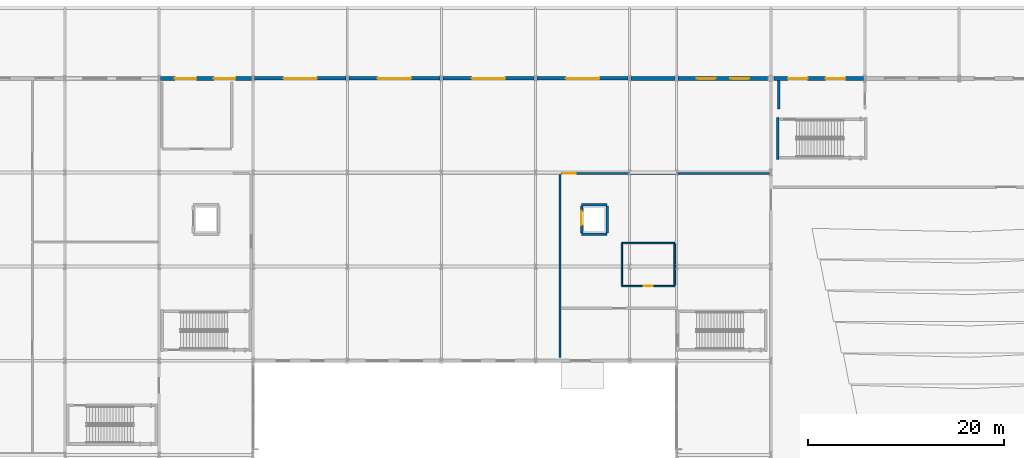
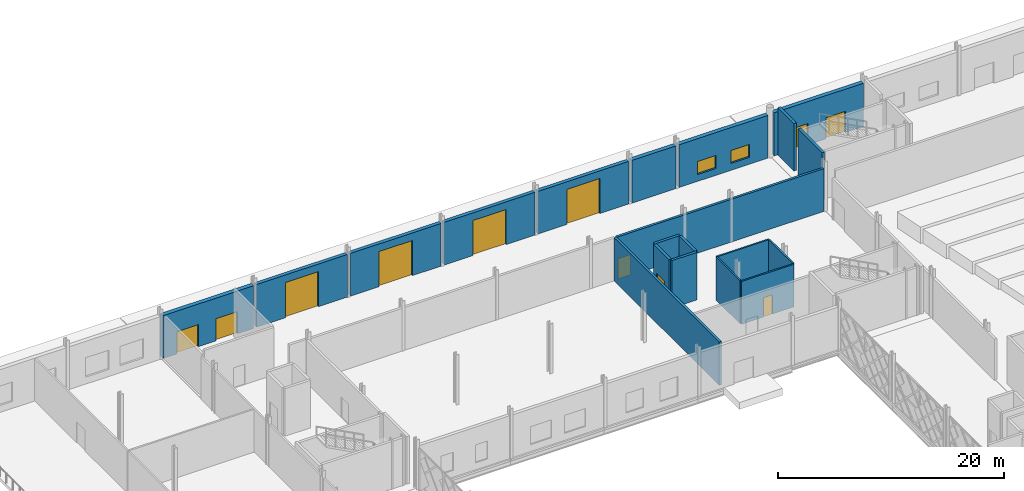
# One storey, part 57 of 84: 20 walls, 11 doors, 2 windows, 13 openings.
"""IFC4 building model written with IfcOpenShell, lengths in metres."""

from ifc_helpers import new_model, si_unit, direction, frame, frame_2d, origin, place, context, subcontext, project, spatial, rectangle, extrude, material, layer, layer_set, type_object, element, fill, save


model = new_model("IFC4")

# Units and contexts
model_context = context("Model", 3, precision=1e-05, world=origin(), true_north=direction((0.0, 1.0)))
body_context = subcontext(model_context, "Body", "Model", "MODEL_VIEW")
ifc_project = project(units=[si_unit("LENGTHUNIT", "METRE"), si_unit("AREAUNIT", "SQUARE_METRE"), si_unit("VOLUMEUNIT", "CUBIC_METRE"), si_unit("PLANEANGLEUNIT", "RADIAN"), si_unit("MASSUNIT", "GRAM", prefix="KILO")], contexts=[model_context])

# Site, building, storey
site_placement = place(None, origin())
site = spatial("IfcSite", under=ifc_project, at=site_placement, CompositionType="ELEMENT")
building_placement = place(site_placement, origin())
building = spatial("IfcBuilding", under=site, at=building_placement, Name="Zevrakil Square Congress Hotel", CompositionType="ELEMENT")
storey_placement = place(building_placement, origin())
storey = spatial("IfcBuildingStorey", under=building, at=storey_placement, Name="L01", CompositionType="ELEMENT", Elevation=0.0)

# Wall
ifc_material_1 = material(Name="Concrete C35/45", Category="concrete")
ifc_layer_1 = layer(ifc_material_1, 0.239990234375)
ifc_layer_set_1 = layer_set([ifc_layer_1], Name="Concrete C35/45")
wall_type_1 = type_object("IfcWallType", Name="WAL-COMP-240", PredefinedType="SOLIDWALL", material=ifc_layer_set_1)
wall_1_placement = place(storey_placement, frame((96.10009765625, 84.35009765625, 0.0), z_axis=(0.0, 0.0, 1.0), x_axis=(0.0, 1.0, 0.0)))
element("IfcWall", 1, at=wall_1_placement, inside=storey, type_object=wall_type_1, Name="L01 interior partition PW-L01-0142", PredefinedType="SOLIDWALL", context=body_context, shape_type="SweptSolid", body=[
    extrude(rectangle(XDim=18.625, YDim=0.239990234375, at=frame_2d((9.3125, 0.0))), origin(), (0.0, 0.0, 1.0), 4.68505859375),
])

# Wall, opening, door
wall_2_placement = place(storey_placement, frame((96.25, 103.10009765625, 0.0), z_axis=(0.0, 0.0, 1.0), x_axis=(1.0, 0.0, 0.0)))
wall_2 = element("IfcWall", 2, at=wall_2_placement, inside=storey, type_object=wall_type_1, Name="L01 interior partition PW-L01-0145", PredefinedType="SOLIDWALL", context=body_context, shape_type="SweptSolid", body=[
    extrude(rectangle(XDim=21.199951171875, YDim=0.239990234375, at=frame_2d((10.60009765625, 0.0))), origin(), (0.0, 0.0, 1.0), 4.625),
])
opening_1_placement = place(wall_2_placement, frame((0.159912109375, 0.0, 0.0)))
opening_1 = element("IfcOpeningElement", 3, at=opening_1_placement, cuts=wall_2, Name="Opening ID-08", PredefinedType="OPENING", context=body_context, shape_type="SweptSolid", body=[
    extrude(rectangle(XDim=1.300048828125, YDim=2.199951171875, at=frame_2d((0.64990234375, 1.10009765625))), frame((0.0, 0.1298828125, 0.0), z_axis=(0.0, -1.0, 0.0), x_axis=(1.0, 0.0, 0.0)), (0.0, 0.0, 1.0), 0.260009765625),
])
ifc_material_2 = material(Name="Service Corridor Leaf-and-Half Door")
door_type_1 = type_object("IfcDoorType", Name="DOR-BOH-130", OperationType="NOTDEFINED", PredefinedType="DOOR", material=ifc_material_2)
door_1_placement = place(opening_1_placement, origin())
door_1 = element("IfcDoor", 4, at=door_1_placement, inside=storey, type_object=door_type_1, Name="L01 interior door 57", OperationType="SINGLE_SWING_LEFT", OverallHeight=2.199951171875, OverallWidth=1.300048828125, PredefinedType="DOOR", context=body_context, shape_type="SweptSolid", body=[
    extrude(rectangle(XDim=1.300048828125, YDim=2.199951171875, at=frame_2d((0.64990234375, 1.10009765625))), frame((0.0, 0.02490234375, 0.0), z_axis=(0.0, -1.0, 0.0), x_axis=(1.0, 0.0, 0.0)), (0.0, 0.0, 1.0), 0.050048828125),
])
fill(opening_1, door_1)

# Wall
wall_3_placement = place(storey_placement, frame((118.39990234375, 109.699951171875, 0.0), z_axis=(0.0, 0.0, 1.0), x_axis=(0.0, 1.0, 0.0)))
element("IfcWall", 5, at=wall_3_placement, inside=storey, type_object=wall_type_1, Name="L01 interior partition PW-L01-0158", PredefinedType="SOLIDWALL", context=body_context, shape_type="SweptSolid", body=[
    extrude(rectangle(XDim=2.880126953125, YDim=0.239990234375, at=frame_2d((1.43994140625, 0.0))), origin(), (0.0, 0.0, 1.0), 5.139892578125),
])

# Wall, opening, door
ifc_material_3 = material(Name="Gypsum Acoustic Stud Partition")
ifc_layer_2 = layer(ifc_material_3, 0.159912109375)
ifc_layer_set_2 = layer_set([ifc_layer_2], Name="Gypsum Acoustic Stud Partition")
wall_type_2 = type_object("IfcWallType", Name="WAL-CORR-160", PredefinedType="PARTITIONING", material=ifc_layer_set_2)
wall_4_placement = place(storey_placement, frame((102.39990234375, 91.60009765625, 0.0), z_axis=(0.0, 0.0, 1.0), x_axis=(1.0, 0.0, 0.0)))
wall_4 = element("IfcWall", 6, at=wall_4_placement, inside=storey, type_object=wall_type_2, Name="L01 interior partition PW-L01-0146", PredefinedType="PARTITIONING", context=body_context, shape_type="SweptSolid", body=[
    extrude(rectangle(XDim=5.400146484375, YDim=0.159912109375, at=frame_2d((2.7001953125, 0.0))), origin(), (0.0, 0.0, 1.0), 4.625),
])
opening_2_placement = place(wall_4_placement, frame((2.239990234375, 0.0, 0.0)))
opening_2 = element("IfcOpeningElement", 7, at=opening_2_placement, cuts=wall_4, Name="Opening ID-07", PredefinedType="OPENING", context=body_context, shape_type="SweptSolid", body=[
    extrude(rectangle(XDim=0.919921875, YDim=2.10009765625, at=frame_2d((0.4599609375, 1.050048828125))), frame((0.0, 0.08984375, 0.0), z_axis=(0.0, -1.0, 0.0), x_axis=(1.0, 0.0, 0.0)), (0.0, 0.0, 1.0), 0.179931640625),
])
ifc_material_4 = material(Name="Accessible Restroom Door")
door_type_2 = type_object("IfcDoorType", Name="DOR-WC-092", OperationType="NOTDEFINED", PredefinedType="DOOR", material=ifc_material_4)
door_2_placement = place(opening_2_placement, origin())
door_2 = element("IfcDoor", 8, at=door_2_placement, inside=storey, type_object=door_type_2, Name="L01 interior door 58", OperationType="SINGLE_SWING_RIGHT", OverallHeight=2.10009765625, OverallWidth=0.919921875, PredefinedType="DOOR", context=body_context, shape_type="SweptSolid", body=[
    extrude(rectangle(XDim=0.919921875, YDim=2.10009765625, at=frame_2d((0.4599609375, 1.050048828125))), frame((0.0, 0.02490234375, 0.0), z_axis=(0.0, -1.0, 0.0), x_axis=(1.0, 0.0, 0.0)), (0.0, 0.0, 1.0), 0.050048828125),
])
fill(opening_2, door_2)

# Walls
wall_5_placement = place(storey_placement, frame((102.39990234375, 96.0, 0.0), z_axis=(0.0, 0.0, 1.0), x_axis=(1.0, 0.0, 0.0)))
element("IfcWall", 9, at=wall_5_placement, inside=storey, type_object=wall_type_2, Name="L01 interior partition PW-L01-0147", PredefinedType="PARTITIONING", context=body_context, shape_type="SweptSolid", body=[
    extrude(rectangle(XDim=5.400146484375, YDim=0.159912109375, at=frame_2d((2.7001953125, 0.0))), origin(), (0.0, 0.0, 1.0), 4.625),
])
wall_6_placement = place(storey_placement, frame((102.39990234375, 91.68505859375, 0.0), z_axis=(0.0, 0.0, 1.0), x_axis=(0.0, 1.0, 0.0)))
element("IfcWall", 10, at=wall_6_placement, inside=storey, type_object=wall_type_2, Name="L01 interior partition PW-L01-0148", PredefinedType="PARTITIONING", context=body_context, shape_type="SweptSolid", body=[
    extrude(rectangle(XDim=4.22998046875, YDim=0.159912109375, at=frame_2d((2.114990234375, 0.0))), origin(), (0.0, 0.0, 1.0), 4.68505859375),
])
wall_7_placement = place(storey_placement, frame((107.800048828125, 91.68505859375, 0.0), z_axis=(0.0, 0.0, 1.0), x_axis=(0.0, 1.0, 0.0)))
element("IfcWall", 11, at=wall_7_placement, inside=storey, type_object=wall_type_2, Name="L01 interior partition PW-L01-0149", PredefinedType="PARTITIONING", context=body_context, shape_type="SweptSolid", body=[
    extrude(rectangle(XDim=4.22998046875, YDim=0.159912109375, at=frame_2d((2.114990234375, 0.0))), origin(), (0.0, 0.0, 1.0), 4.625),
])

# Wall, opening, door
ifc_material_5 = material(Name="Precast concrete C40/50", Category="concrete")
ifc_layer_3 = layer(ifc_material_5, 0.360107421875)
ifc_layer_set_3 = layer_set([ifc_layer_3], Name="Precast concrete C40/50")
wall_type_3 = type_object("IfcWallType", Name="WAL-EXT-GRC-360", PredefinedType="SOLIDWALL", material=ifc_layer_set_3)
wall_8_placement = place(storey_placement, frame((64.9541015625, 112.800048828125, 0.0), z_axis=(0.0, 0.0, 1.0), x_axis=(1.0, 0.0, 0.0)))
wall_8 = element("IfcWall", 12, at=wall_8_placement, inside=storey, type_object=wall_type_3, Name="L01 exterior GRC wall EW-L01-0049", PredefinedType="SOLIDWALL", context=body_context, shape_type="SweptSolid", body=[
    extrude(rectangle(XDim=9.2919921875, YDim=0.360107421875, at=frame_2d((4.64599609375, 0.0))), origin(), (0.0, 0.0, 1.0), 4.625),
])
opening_3_placement = place(wall_8_placement, frame((2.946044921875, 0.0, 0.0)))
opening_3 = element("IfcOpeningElement", 13, at=opening_3_placement, cuts=wall_8, Name="Opening DG-01", PredefinedType="OPENING", context=body_context, shape_type="SweptSolid", body=[
    extrude(rectangle(XDim=3.39990234375, YDim=3.800048828125, at=frame_2d((1.699951171875, 1.89990234375))), frame((0.0, 0.18994140625, 0.0), z_axis=(0.0, -1.0, 0.0), x_axis=(1.0, 0.0, 0.0)), (0.0, 0.0, 1.0), 0.380126953125),
])
ifc_material_6 = material(Name="Aluminium Thermal-Break Glazed Door", Category="aluminium")
door_type_3 = type_object("IfcDoorType", Name="DOR-DOCK-340", OperationType="NOTDEFINED", PredefinedType="GATE", material=ifc_material_6)
door_3_placement = place(opening_3_placement, origin())
door_3 = element("IfcDoor", 14, at=door_3_placement, inside=storey, type_object=door_type_3, Name="HGV loading dock shutter door", OperationType="ROLLINGUP", OverallHeight=3.800048828125, OverallWidth=3.39990234375, PredefinedType="GATE", context=body_context, shape_type="SweptSolid", body=[
    extrude(rectangle(XDim=3.39990234375, YDim=3.800048828125, at=frame_2d((1.699951171875, 1.89990234375))), frame((0.0, 0.02490234375, 0.0), z_axis=(0.0, -1.0, 0.0), x_axis=(1.0, 0.0, 0.0)), (0.0, 0.0, 1.0), 0.050048828125),
])
fill(opening_3, door_3)

wall_9_placement = place(storey_placement, frame((74.553955078125, 112.800048828125, 0.0), z_axis=(0.0, 0.0, 1.0), x_axis=(1.0, 0.0, 0.0)))
wall_9 = element("IfcWall", 15, at=wall_9_placement, inside=storey, type_object=wall_type_3, Name="L01 exterior GRC wall EW-L01-0051", PredefinedType="SOLIDWALL", context=body_context, shape_type="SweptSolid", body=[
    extrude(rectangle(XDim=9.2919921875, YDim=0.360107421875, at=frame_2d((4.64599609375, 0.0))), origin(), (0.0, 0.0, 1.0), 4.625),
])
opening_4_placement = place(wall_9_placement, frame((2.946044921875, 0.0, 0.0)))
opening_4 = element("IfcOpeningElement", 16, at=opening_4_placement, cuts=wall_9, Name="Opening DG-01", PredefinedType="OPENING", context=body_context, shape_type="SweptSolid", body=[
    extrude(rectangle(XDim=3.39990234375, YDim=3.800048828125, at=frame_2d((1.699951171875, 1.89990234375))), frame((0.0, 0.18994140625, 0.0), z_axis=(0.0, -1.0, 0.0), x_axis=(1.0, 0.0, 0.0)), (0.0, 0.0, 1.0), 0.380126953125),
])
door_4_placement = place(opening_4_placement, origin())
door_4 = element("IfcDoor", 17, at=door_4_placement, inside=storey, type_object=door_type_3, Name="HGV loading dock shutter door", OperationType="ROLLINGUP", OverallHeight=3.800048828125, OverallWidth=3.39990234375, PredefinedType="GATE", context=body_context, shape_type="SweptSolid", body=[
    extrude(rectangle(XDim=3.39990234375, YDim=3.800048828125, at=frame_2d((1.699951171875, 1.89990234375))), frame((0.0, 0.02490234375, 0.0), z_axis=(0.0, -1.0, 0.0), x_axis=(1.0, 0.0, 0.0)), (0.0, 0.0, 1.0), 0.050048828125),
])
fill(opening_4, door_4)

wall_10_placement = place(storey_placement, frame((84.154052734375, 112.800048828125, 0.0), z_axis=(0.0, 0.0, 1.0), x_axis=(1.0, 0.0, 0.0)))
wall_10 = element("IfcWall", 18, at=wall_10_placement, inside=storey, type_object=wall_type_3, Name="L01 exterior GRC wall EW-L01-0053", PredefinedType="SOLIDWALL", context=body_context, shape_type="SweptSolid", body=[
    extrude(rectangle(XDim=9.2919921875, YDim=0.360107421875, at=frame_2d((4.64599609375, 0.0))), origin(), (0.0, 0.0, 1.0), 4.625),
])
opening_5_placement = place(wall_10_placement, frame((2.946044921875, 0.0, 0.0)))
opening_5 = element("IfcOpeningElement", 19, at=opening_5_placement, cuts=wall_10, Name="Opening DG-01", PredefinedType="OPENING", context=body_context, shape_type="SweptSolid", body=[
    extrude(rectangle(XDim=3.39990234375, YDim=3.800048828125, at=frame_2d((1.699951171875, 1.89990234375))), frame((0.0, 0.18994140625, 0.0), z_axis=(0.0, -1.0, 0.0), x_axis=(1.0, 0.0, 0.0)), (0.0, 0.0, 1.0), 0.380126953125),
])
door_5_placement = place(opening_5_placement, origin())
door_5 = element("IfcDoor", 20, at=door_5_placement, inside=storey, type_object=door_type_3, Name="HGV loading dock shutter door", OperationType="ROLLINGUP", OverallHeight=3.800048828125, OverallWidth=3.39990234375, PredefinedType="GATE", context=body_context, shape_type="SweptSolid", body=[
    extrude(rectangle(XDim=3.39990234375, YDim=3.800048828125, at=frame_2d((1.699951171875, 1.89990234375))), frame((0.0, 0.02490234375, 0.0), z_axis=(0.0, -1.0, 0.0), x_axis=(1.0, 0.0, 0.0)), (0.0, 0.0, 1.0), 0.050048828125),
])
fill(opening_5, door_5)

wall_11_placement = place(storey_placement, frame((93.75390625, 112.800048828125, 0.0), z_axis=(0.0, 0.0, 1.0), x_axis=(1.0, 0.0, 0.0)))
wall_11 = element("IfcWall", 21, at=wall_11_placement, inside=storey, type_object=wall_type_3, Name="L01 exterior GRC wall EW-L01-0055", PredefinedType="SOLIDWALL", context=body_context, shape_type="SweptSolid", body=[
    extrude(rectangle(XDim=9.2919921875, YDim=0.360107421875, at=frame_2d((4.64599609375, 0.0))), origin(), (0.0, 0.0, 1.0), 4.625),
])
opening_6_placement = place(wall_11_placement, frame((2.946044921875, 0.0, 0.0)))
opening_6 = element("IfcOpeningElement", 22, at=opening_6_placement, cuts=wall_11, Name="Opening DG-01", PredefinedType="OPENING", context=body_context, shape_type="SweptSolid", body=[
    extrude(rectangle(XDim=3.39990234375, YDim=3.800048828125, at=frame_2d((1.699951171875, 1.89990234375))), frame((0.0, 0.18994140625, 0.0), z_axis=(0.0, -1.0, 0.0), x_axis=(1.0, 0.0, 0.0)), (0.0, 0.0, 1.0), 0.380126953125),
])
door_6_placement = place(opening_6_placement, origin())
door_6 = element("IfcDoor", 23, at=door_6_placement, inside=storey, type_object=door_type_3, Name="HGV loading dock shutter door", OperationType="ROLLINGUP", OverallHeight=3.800048828125, OverallWidth=3.39990234375, PredefinedType="GATE", context=body_context, shape_type="SweptSolid", body=[
    extrude(rectangle(XDim=3.39990234375, YDim=3.800048828125, at=frame_2d((1.699951171875, 1.89990234375))), frame((0.0, 0.02490234375, 0.0), z_axis=(0.0, -1.0, 0.0), x_axis=(1.0, 0.0, 0.0)), (0.0, 0.0, 1.0), 0.050048828125),
])
fill(opening_6, door_6)

# Wall, openings, doors
ifc_material_7 = material(Name="Precast concrete C40/50", Category="concrete")
ifc_layer_4 = layer(ifc_material_7, 0.419921875)
ifc_layer_set_4 = layer_set([ifc_layer_4], Name="Precast concrete C40/50")
wall_type_4 = type_object("IfcWallType", Name="WAL-EXT-HALL-420", PredefinedType="SOLIDWALL", material=ifc_layer_set_4)
wall_12_placement = place(storey_placement, frame((55.35400390625, 112.800048828125, 0.0), z_axis=(0.0, 0.0, 1.0), x_axis=(1.0, 0.0, 0.0)))
wall_12 = element("IfcWall", 24, at=wall_12_placement, inside=storey, type_object=wall_type_4, Name="L01 exterior GRC wall EW-L01-0047", PredefinedType="SOLIDWALL", context=body_context, shape_type="SweptSolid", body=[
    extrude(rectangle(XDim=9.2919921875, YDim=0.419921875, at=frame_2d((4.64599609375, 0.0))), origin(), (0.0, 0.0, 1.0), 4.625),
])
opening_7_placement = place(wall_12_placement, frame((1.449951171875, 0.0, 0.0)))
opening_7 = element("IfcOpeningElement", 25, at=opening_7_placement, cuts=wall_12, Name="Opening E29", PredefinedType="OPENING", context=body_context, shape_type="SweptSolid", body=[
    extrude(rectangle(XDim=2.199951171875, YDim=2.39990234375, at=frame_2d((1.10009765625, 1.199951171875))), frame((0.0, 0.219970703125, 0.0), z_axis=(0.0, -1.0, 0.0), x_axis=(1.0, 0.0, 0.0)), (0.0, 0.0, 1.0), 0.43994140625),
])
opening_8_placement = place(wall_12_placement, frame((5.44189453125, 0.0, 0.0)))
opening_8 = element("IfcOpeningElement", 26, at=opening_8_placement, cuts=wall_12, Name="Opening E30", PredefinedType="OPENING", context=body_context, shape_type="SweptSolid", body=[
    extrude(rectangle(XDim=2.199951171875, YDim=2.39990234375, at=frame_2d((1.10009765625, 1.199951171875))), frame((0.0, 0.219970703125, 0.0), z_axis=(0.0, -1.0, 0.0), x_axis=(1.0, 0.0, 0.0)), (0.0, 0.0, 1.0), 0.43994140625),
])
ifc_material_8 = material(Name="Aluminium Thermal-Break Glazed Door", Category="aluminium")
door_type_4 = type_object("IfcDoorType", Name="DOR-EXIT-220", OperationType="NOTDEFINED", PredefinedType="DOOR", material=ifc_material_8)
door_7_placement = place(opening_7_placement, origin())
door_7 = element("IfcDoor", 27, at=door_7_placement, inside=storey, type_object=door_type_4, Name="L01 pedestrian final exit door E29", OperationType="DOUBLE_DOOR_SINGLE_SWING", OverallHeight=2.39990234375, OverallWidth=2.199951171875, PredefinedType="DOOR", context=body_context, shape_type="SweptSolid", body=[
    extrude(rectangle(XDim=2.199951171875, YDim=2.39990234375, at=frame_2d((1.10009765625, 1.199951171875))), frame((0.0, 0.02490234375, 0.0), z_axis=(0.0, -1.0, 0.0), x_axis=(1.0, 0.0, 0.0)), (0.0, 0.0, 1.0), 0.050048828125),
])
fill(opening_7, door_7)
door_8_placement = place(opening_8_placement, origin())
door_8 = element("IfcDoor", 28, at=door_8_placement, inside=storey, type_object=door_type_4, Name="L01 pedestrian final exit door E30", OperationType="DOUBLE_DOOR_SINGLE_SWING", OverallHeight=2.39990234375, OverallWidth=2.199951171875, PredefinedType="DOOR", context=body_context, shape_type="SweptSolid", body=[
    extrude(rectangle(XDim=2.199951171875, YDim=2.39990234375, at=frame_2d((1.10009765625, 1.199951171875))), frame((0.0, 0.02490234375, 0.0), z_axis=(0.0, -1.0, 0.0), x_axis=(1.0, 0.0, 0.0)), (0.0, 0.0, 1.0), 0.050048828125),
])
fill(opening_8, door_8)

# Wall
wall_13_placement = place(storey_placement, frame((103.35400390625, 112.800048828125, 0.0), z_axis=(0.0, 0.0, 1.0), x_axis=(1.0, 0.0, 0.0)))
element("IfcWall", 29, at=wall_13_placement, inside=storey, type_object=wall_type_4, Name="L01 exterior GRC wall EW-L01-0057", PredefinedType="SOLIDWALL", context=body_context, shape_type="SweptSolid", body=[
    extrude(rectangle(XDim=4.491943359375, YDim=0.419921875, at=frame_2d((2.24609375, 0.0))), origin(), (0.0, 0.0, 1.0), 4.625),
])

# Wall, openings, windows
wall_14_placement = place(storey_placement, frame((108.154052734375, 112.800048828125, 0.0), z_axis=(0.0, 0.0, 1.0), x_axis=(1.0, 0.0, 0.0)))
wall_14 = element("IfcWall", 30, at=wall_14_placement, inside=storey, type_object=wall_type_4, Name="L01 exterior GRC wall EW-L01-0059", PredefinedType="SOLIDWALL", context=body_context, shape_type="SweptSolid", body=[
    extrude(rectangle(XDim=9.136962890625, YDim=0.419921875, at=frame_2d((4.568359375, 0.0))), origin(), (0.0, 0.0, 1.0), 4.625),
])
opening_9_placement = place(wall_14_placement, frame((1.9091796875, 0.0, 0.75)))
opening_9 = element("IfcOpeningElement", 31, at=opening_9_placement, cuts=wall_14, Name="Opening WN-05", PredefinedType="OPENING", context=body_context, shape_type="SweptSolid", body=[
    extrude(rectangle(XDim=1.89990234375, YDim=1.39990234375, at=frame_2d((0.949951171875, 0.699951171875))), frame((0.0, 0.219970703125, 0.0), z_axis=(0.0, -1.0, 0.0), x_axis=(1.0, 0.0, 0.0)), (0.0, 0.0, 1.0), 0.43994140625),
])
opening_10_placement = place(wall_14_placement, frame((5.32763671875, 0.0, 0.75)))
opening_10 = element("IfcOpeningElement", 32, at=opening_10_placement, cuts=wall_14, Name="Opening WN-05", PredefinedType="OPENING", context=body_context, shape_type="SweptSolid", body=[
    extrude(rectangle(XDim=1.89990234375, YDim=1.39990234375, at=frame_2d((0.949951171875, 0.699951171875))), frame((0.0, 0.219970703125, 0.0), z_axis=(0.0, -1.0, 0.0), x_axis=(1.0, 0.0, 0.0)), (0.0, 0.0, 1.0), 0.43994140625),
])
ifc_material_9 = material(Name="Low-E Solar Control Double Glazing", Category="glass")
window_type = type_object("IfcWindowType", Name="WIN-EXT-05", PartitioningType="SINGLE_PANEL", PredefinedType="WINDOW", material=ifc_material_9)
window_1_placement = place(opening_9_placement, origin())
window_1 = element("IfcWindow", 33, at=window_1_placement, inside=storey, type_object=window_type, Name="L01 low-E solar window 49", OverallHeight=1.39990234375, OverallWidth=1.89990234375, PartitioningType="SINGLE_PANEL", PredefinedType="WINDOW", context=body_context, shape_type="SweptSolid", body=[
    extrude(rectangle(XDim=1.89990234375, YDim=1.39990234375, at=frame_2d((0.949951171875, 0.699951171875))), frame((0.0, 0.030029296875, 0.0), z_axis=(0.0, -1.0, 0.0), x_axis=(1.0, 0.0, 0.0)), (0.0, 0.0, 1.0), 0.06005859375),
])
fill(opening_9, window_1)
window_2_placement = place(opening_10_placement, origin())
window_2 = element("IfcWindow", 34, at=window_2_placement, inside=storey, type_object=window_type, Name="L01 low-E solar window 50", OverallHeight=1.39990234375, OverallWidth=1.89990234375, PartitioningType="SINGLE_PANEL", PredefinedType="WINDOW", context=body_context, shape_type="SweptSolid", body=[
    extrude(rectangle(XDim=1.89990234375, YDim=1.39990234375, at=frame_2d((0.949951171875, 0.699951171875))), frame((0.0, 0.030029296875, 0.0), z_axis=(0.0, -1.0, 0.0), x_axis=(1.0, 0.0, 0.0)), (0.0, 0.0, 1.0), 0.06005859375),
])
fill(opening_10, window_2)

# Wall, openings, doors
wall_15_placement = place(storey_placement, frame((117.908935546875, 112.800048828125, 0.0), z_axis=(0.0, 0.0, 1.0), x_axis=(1.0, 0.0, 0.0)))
wall_15 = element("IfcWall", 35, at=wall_15_placement, inside=storey, type_object=wall_type_4, Name="L01 exterior GRC wall EW-L01-0061", PredefinedType="SOLIDWALL", context=body_context, shape_type="SweptSolid", body=[
    extrude(rectangle(XDim=9.136962890625, YDim=0.419921875, at=frame_2d((4.568359375, 0.0))), origin(), (0.0, 0.0, 1.0), 4.68505859375),
])
opening_11_placement = place(wall_15_placement, frame((1.449951171875, 0.0, 0.0)))
opening_11 = element("IfcOpeningElement", 36, at=opening_11_placement, cuts=wall_15, Name="Opening E31", PredefinedType="OPENING", context=body_context, shape_type="SweptSolid", body=[
    extrude(rectangle(XDim=2.0, YDim=2.300048828125, at=frame_2d((1.0, 1.14990234375))), frame((0.0, 0.219970703125, 0.0), z_axis=(0.0, -1.0, 0.0), x_axis=(1.0, 0.0, 0.0)), (0.0, 0.0, 1.0), 0.43994140625),
])
opening_12_placement = place(wall_15_placement, frame((5.287109375, 0.0, 0.0)))
opening_12 = element("IfcOpeningElement", 37, at=opening_12_placement, cuts=wall_15, Name="Opening E32", PredefinedType="OPENING", context=body_context, shape_type="SweptSolid", body=[
    extrude(rectangle(XDim=2.0, YDim=2.300048828125, at=frame_2d((1.0, 1.14990234375))), frame((0.0, 0.219970703125, 0.0), z_axis=(0.0, -1.0, 0.0), x_axis=(1.0, 0.0, 0.0)), (0.0, 0.0, 1.0), 0.43994140625),
])
ifc_material_10 = material(Name="Aluminium Thermal-Break Glazed Door", Category="aluminium")
door_type_5 = type_object("IfcDoorType", Name="DOR-EXIT-200", OperationType="NOTDEFINED", PredefinedType="DOOR", material=ifc_material_10)
door_9_placement = place(opening_11_placement, origin())
door_9 = element("IfcDoor", 38, at=door_9_placement, inside=storey, type_object=door_type_5, Name="L01 pedestrian final exit door E31", OperationType="DOUBLE_DOOR_SINGLE_SWING", OverallHeight=2.300048828125, OverallWidth=2.0, PredefinedType="DOOR", context=body_context, shape_type="SweptSolid", body=[
    extrude(rectangle(XDim=2.0, YDim=2.300048828125, at=frame_2d((1.0, 1.14990234375))), frame((0.0, 0.02490234375, 0.0), z_axis=(0.0, -1.0, 0.0), x_axis=(1.0, 0.0, 0.0)), (0.0, 0.0, 1.0), 0.050048828125),
])
fill(opening_11, door_9)
door_10_placement = place(opening_12_placement, origin())
door_10 = element("IfcDoor", 39, at=door_10_placement, inside=storey, type_object=door_type_5, Name="L01 pedestrian final exit door E32", OperationType="DOUBLE_DOOR_SINGLE_SWING", OverallHeight=2.300048828125, OverallWidth=2.0, PredefinedType="DOOR", context=body_context, shape_type="SweptSolid", body=[
    extrude(rectangle(XDim=2.0, YDim=2.300048828125, at=frame_2d((1.0, 1.14990234375))), frame((0.0, 0.02490234375, 0.0), z_axis=(0.0, -1.0, 0.0), x_axis=(1.0, 0.0, 0.0)), (0.0, 0.0, 1.0), 0.050048828125),
])
fill(opening_12, door_10)

# Walls
ifc_material_11 = material(Name="Concrete C40/50", Category="concrete")
ifc_layer_5 = layer(ifc_material_11, 0.260009765625)
ifc_layer_set_5 = layer_set([ifc_layer_5], Name="Concrete C40/50")
wall_type_5 = type_object("IfcWallType", Name="WAL-SHAFT-260", PredefinedType="SHEAR", material=ifc_layer_set_5)
wall_16_placement = place(storey_placement, frame((118.304931640625, 104.5400390625, 0.0), z_axis=(0.0, 0.0, 1.0), x_axis=(0.0, 1.0, 0.0)))
element("IfcWall", 40, at=wall_16_placement, inside=storey, type_object=wall_type_5, Name="L01 ST11 stair shaft W wall", PredefinedType="SHEAR", context=body_context, shape_type="SweptSolid", body=[
    extrude(rectangle(XDim=4.27001953125, YDim=0.260009765625, at=frame_2d((2.135009765625, 0.0))), origin(), (0.0, 0.0, 1.0), 5.139892578125),
])
for number, where, z_axis, x_axis, name in (
    (41, (98.300048828125, 96.89990234375, 0.0), (0.0, 0.0, 1.0), (1.0, 0.0, 0.0), "L01 SL3 lift shaft wall"),
    (42, (98.300048828125, 99.89990234375, 0.0), (0.0, 0.0, 1.0), (1.0, 0.0, 0.0), "L01 SL3 lift shaft wall"),
):
    element("IfcWall", number, at=place(storey_placement, frame(where, z_axis=z_axis, x_axis=x_axis)), inside=storey, type_object=wall_type_5, Name=name, PredefinedType="SHEAR", context=body_context, shape_type="SweptSolid", body=[
        extrude(rectangle(XDim=2.599853515625, YDim=0.260009765625, at=frame_2d((1.2998046875, 0.0))), origin(), (0.0, 0.0, 1.0), 5.139892578125),
    ])

# Wall, opening, door
wall_17_placement = place(storey_placement, frame((98.300048828125, 97.0400390625, 0.0), z_axis=(0.0, 0.0, 1.0), x_axis=(0.0, 1.0, 0.0)))
wall_17 = element("IfcWall", 43, at=wall_17_placement, inside=storey, type_object=wall_type_5, Name="L01 SL3 lift shaft wall", PredefinedType="SHEAR", context=body_context, shape_type="SweptSolid", body=[
    extrude(rectangle(XDim=2.719970703125, YDim=0.260009765625, at=frame_2d((1.35986328125, 0.0))), origin(), (0.0, 0.0, 1.0), 5.139892578125),
])
opening_13_placement = place(wall_17_placement, frame((0.800048828125, 0.0, 0.0)))
opening_13 = element("IfcOpeningElement", 44, at=opening_13_placement, cuts=wall_17, Name="Opening LD-SL3", PredefinedType="OPENING", context=body_context, shape_type="SweptSolid", body=[
    extrude(rectangle(XDim=1.39990234375, YDim=2.300048828125, at=frame_2d((0.699951171875, 1.14990234375))), frame((0.0, 0.14013671875, 0.0), z_axis=(0.0, -1.0, 0.0), x_axis=(1.0, 0.0, 0.0)), (0.0, 0.0, 1.0), 0.280029296875),
])
ifc_material_12 = material(Name="Goods Service Sliding Landing Door")
door_type_6 = type_object("IfcDoorType", Name="DOR-LIFT-LD140", OperationType="NOTDEFINED", PredefinedType="DOOR", material=ifc_material_12)
door_11_placement = place(opening_13_placement, origin())
door_11 = element("IfcDoor", 45, at=door_11_placement, inside=storey, type_object=door_type_6, Name="L01 SL3 sliding lift landing door", OperationType="SLIDING_TO_LEFT", OverallHeight=2.300048828125, OverallWidth=1.39990234375, PredefinedType="DOOR", context=body_context, shape_type="SweptSolid", body=[
    extrude(rectangle(XDim=1.39990234375, YDim=2.300048828125, at=frame_2d((0.699951171875, 1.14990234375))), frame((0.0, 0.02490234375, 0.0), z_axis=(0.0, -1.0, 0.0), x_axis=(1.0, 0.0, 0.0)), (0.0, 0.0, 1.0), 0.050048828125),
])
fill(opening_13, door_11)

# Wall
wall_18_placement = place(storey_placement, frame((100.89990234375, 97.0400390625, 0.0), z_axis=(0.0, 0.0, 1.0), x_axis=(0.0, 1.0, 0.0)))
element("IfcWall", 46, at=wall_18_placement, inside=storey, type_object=wall_type_5, Name="L01 SL3 lift shaft wall", PredefinedType="SHEAR", context=body_context, shape_type="SweptSolid", body=[
    extrude(rectangle(XDim=2.719970703125, YDim=0.260009765625, at=frame_2d((1.35986328125, 0.0))), origin(), (0.0, 0.0, 1.0), 5.139892578125),
])

save(model, "model.ifc")
